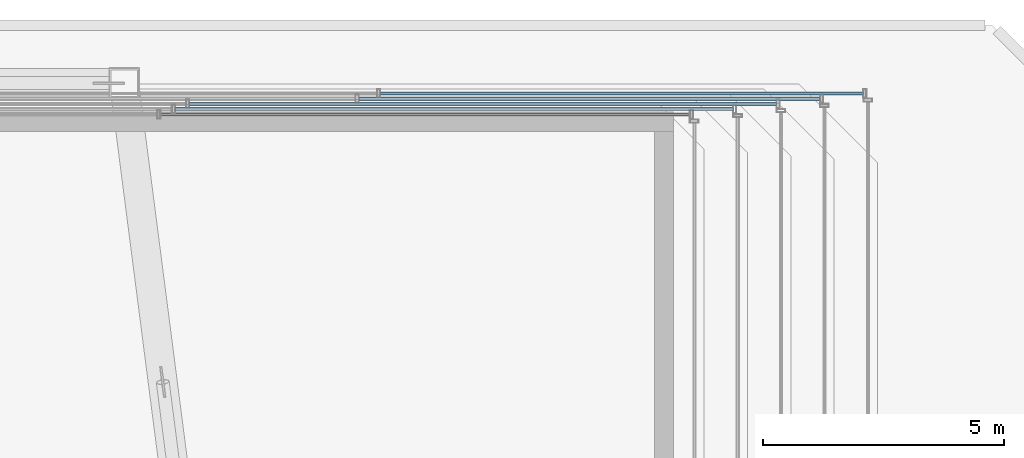
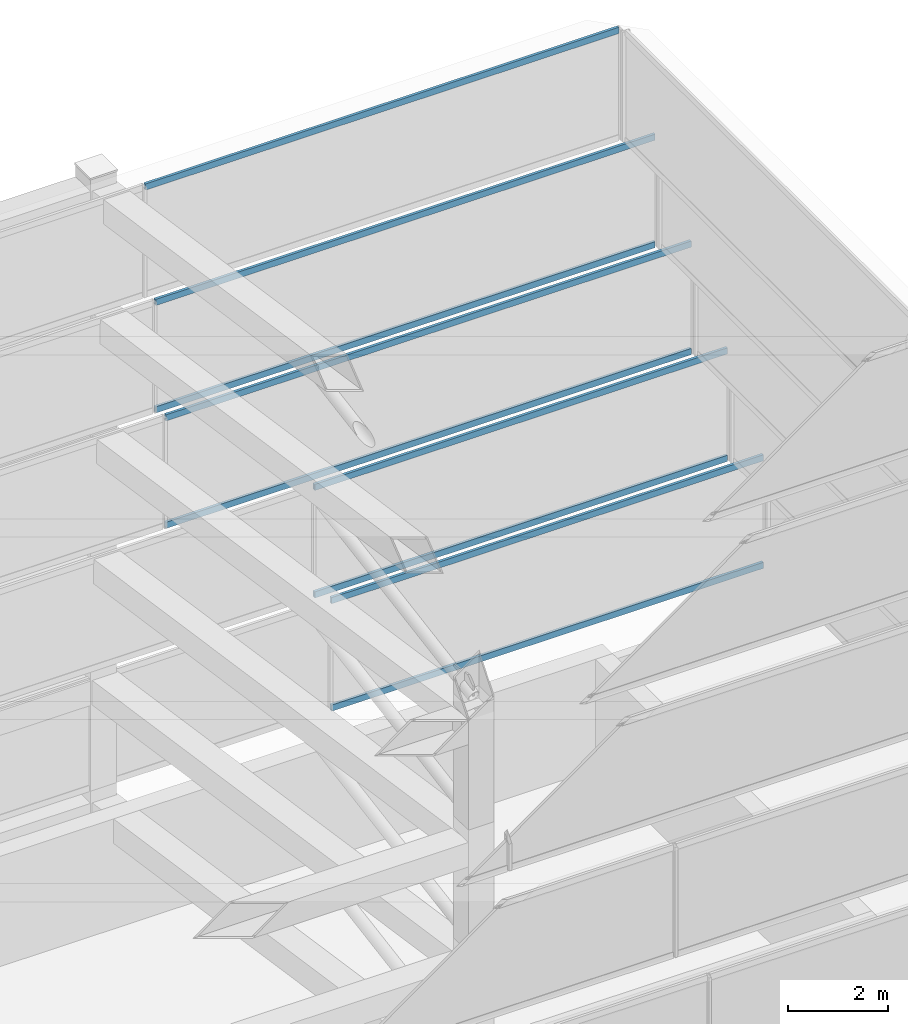
# One storey, part 25 of 29: 9 members, 5 elements without a shape of their own.
"""IFC4 building model written with IfcOpenShell, lengths in metres."""

import ifcopenshell
import ifcopenshell.guid

model = None  # the IFC model being written
_history = None  # IfcOwnerHistory: only IFC2X3 demands one
_inside = {}  # id of a spatial element -> (the spatial element, [elements in it])
_under = {}  # id of a project, library or spatial element -> (it, [spatial elements below it])
_declared = {}  # id of a project -> (the project, [libraries it declares])
_typed = {}  # id of a type object -> (the type object, [elements of that type])
_made_of = {}  # id of a material, layer set ... -> (it, [elements and type objects made of it])


def new_model(schema):
    """Start an empty IFC model of exactly this schema.

    Asked for "IFC4X3", IfcOpenShell would pick the latest addendum, in which some entities
    have other attributes; the version numbers below select the first issue.
    IFC2X3 requires an IfcOwnerHistory on every rooted entity: one is made here for all.
    """
    global model, _history
    if schema == "IFC4X3":
        model = ifcopenshell.file(schema_version=(4, 3, 0, 0))
    else:
        model = ifcopenshell.file(schema=schema)
    _inside.clear()
    _under.clear()
    _declared.clear()
    _typed.clear()
    _made_of.clear()
    _history = None
    if model.schema == "IFC2X3":
        org = make("IfcOrganization", Name="unknown")
        user = make(
            "IfcPersonAndOrganization",
            ThePerson=make("IfcPerson", FamilyName="unknown"),
            TheOrganization=org,
        )
        app = make(
            "IfcApplication",
            ApplicationDeveloper=org,
            Version="unknown",
            ApplicationFullName="unknown",
            ApplicationIdentifier="unknown",
        )
        _history = make(
            "IfcOwnerHistory",
            OwningUser=user,
            OwningApplication=app,
            ChangeAction="ADDED",
            CreationDate=0,
        )
    return model


def make(cls, **values):
    """One entity of the class cls with the attributes given. An attribute that is None is left unset."""
    return model.create_entity(
        cls, **{name: value for name, value in values.items() if value is not None}
    )


def rooted(cls, **values):
    """An entity with a GlobalId (a new one), such as an element, a storey or a relation."""
    return make(cls, GlobalId=ifcopenshell.guid.new(), OwnerHistory=_history, **values)


def si_unit(unit_type, name, prefix=None):
    """IfcSIUnit, for example si_unit("LENGTHUNIT", "METRE", prefix="MILLI")."""
    return make("IfcSIUnit", UnitType=unit_type, Prefix=prefix, Name=name)


def assignment(units):
    """IfcUnitAssignment: the units of a project."""
    return None if units is None else make("IfcUnitAssignment", Units=units)


def point(xyz):
    """IfcCartesianPoint."""
    return None if xyz is None else make("IfcCartesianPoint", Coordinates=xyz)


def direction(xyz):
    """IfcDirection."""
    return None if xyz is None else make("IfcDirection", DirectionRatios=xyz)


def frame(location, z_axis=None, x_axis=None):
    """IfcAxis2Placement3D, a coordinate frame: its origin and axes. An axis left out is left unset."""
    return make(
        "IfcAxis2Placement3D",
        Location=point(location),
        Axis=direction(z_axis),
        RefDirection=direction(x_axis),
    )


def frame_2d(location, x_axis=None):
    """IfcAxis2Placement2D, a coordinate frame in the plane: its origin and x axis."""
    return make(
        "IfcAxis2Placement2D", Location=point(location), RefDirection=direction(x_axis)
    )


def origin():
    """The frame at (0, 0, 0) with its axes left unset."""
    return frame((0.0, 0.0, 0.0))


def origin_2d():
    """The frame at (0, 0) in the plane with its x axis left unset."""
    return frame_2d((0.0, 0.0))


def place(relative_to, where):
    """IfcLocalPlacement: puts the frame where relative to a parent placement (None: the world)."""
    return make(
        "IfcLocalPlacement", PlacementRelTo=relative_to, RelativePlacement=where
    )


def context(
    kind, dimensions, precision=None, world=None, true_north=None, identifier=None
):
    """IfcGeometricRepresentationContext, for example the 3D "Model" context."""
    return make(
        "IfcGeometricRepresentationContext",
        ContextIdentifier=identifier,
        ContextType=kind,
        CoordinateSpaceDimension=dimensions,
        Precision=precision,
        WorldCoordinateSystem=world,
        TrueNorth=true_north,
    )


def subcontext(parent, identifier, kind, view, scale=None):
    """IfcGeometricRepresentationSubContext, for example "Body" below "Model"."""
    return make(
        "IfcGeometricRepresentationSubContext",
        ContextIdentifier=identifier,
        ContextType=kind,
        ParentContext=parent,
        TargetScale=scale,
        TargetView=view,
    )


def project(units=None, contexts=None):
    """IfcProject with its units and contexts."""
    return rooted(
        "IfcProject",
        Name="project",
        RepresentationContexts=contexts,
        UnitsInContext=assignment(units),
    )


def spatial(cls, under=None, at=None, **own):
    """A site, building, storey or space (cls), placed at a placement, below another one or the project."""
    s = rooted(cls, ObjectPlacement=at, **own)
    if under is not None:
        _under.setdefault(under.id(), (under, []))[1].append(s)
    return s


def profile(cls, at=None, kind="AREA", **sizes):
    """A parametric profile (cls). Its sizes go by their IFC names, for example OverallWidth=200.0."""
    return make(cls, ProfileType=kind, Position=at, **sizes)


def hollow_rectangle(**sizes):
    """IfcRectangleHollowProfileDef."""
    return profile("IfcRectangleHollowProfileDef", **sizes)


def extrude(swept, where, along, depth):
    """IfcExtrudedAreaSolid: the profile swept, set in the frame where, extruded along a direction by depth."""
    return make(
        "IfcExtrudedAreaSolid",
        SweptArea=swept,
        Position=where,
        ExtrudedDirection=direction(along),
        Depth=depth,
    )


def shape(context_of_items, identifier, shape_type, items):
    """IfcShapeRepresentation: the items that make up one representation, for example the "Body"."""
    return make(
        "IfcShapeRepresentation",
        ContextOfItems=context_of_items,
        RepresentationIdentifier=identifier,
        RepresentationType=shape_type,
        Items=items,
    )


def material(Name=None, Category=None):
    """IfcMaterial."""
    return make("IfcMaterial", Name=Name, Category=Category)


def material_profile(
    of_material, cross_section, Name=None, Category=None, Priority=None
):
    """IfcMaterialProfile: a cross section and its material."""
    return make(
        "IfcMaterialProfile",
        Name=Name,
        Material=of_material,
        Profile=cross_section,
        Priority=Priority,
        Category=Category,
    )


def profile_set(profiles, Name=None, composite=None):
    """IfcMaterialProfileSet."""
    return make(
        "IfcMaterialProfileSet",
        Name=Name,
        MaterialProfiles=profiles,
        CompositeProfile=composite,
    )


def made_of(thing, what):
    """Note that an element or type object is made of a material, layer set ...; save() writes the relation."""
    if what is not None:
        _made_of.setdefault(what.id(), (what, []))[1].append(thing)
    return thing


def type_object(cls, material=None, **own):
    """A type object (cls), such as IfcWallType, which elements share."""
    return made_of(rooted(cls, **own), material)


def element(
    cls,
    number,
    at=None,
    inside=None,
    cuts=None,
    type_object=None,
    material=None,
    context=None,
    identifier="Body",
    shape_type=None,
    held_by="IfcProductDefinitionShape",
    body=None,
    shapes=None,
    **own,
):
    """One element of the class cls, such as IfcWall. Its Tag is "e" and its number.

    at: its placement. inside: the storey or other place that contains it. cuts: it is an
    opening in that element (IfcRelVoidsElement). A single representation is given by context,
    identifier, shape_type and body (its items); several are given by shapes. held_by: the class
    of the entity that holds the representations. save() writes the other relations.
    """
    e = rooted(cls, Tag="e%d" % number, ObjectPlacement=at, **own)
    if body is not None:
        shapes = [shape(context, identifier, shape_type, body)]
    if shapes is not None:
        e.Representation = make(held_by, Representations=shapes)
    if inside is not None:
        _inside.setdefault(inside.id(), (inside, []))[1].append(e)
    if cuts is not None:
        rooted(
            "IfcRelVoidsElement", RelatingBuildingElement=cuts, RelatedOpeningElement=e
        )
    if type_object is not None:
        _typed.setdefault(type_object.id(), (type_object, []))[1].append(e)
    return made_of(e, material)


def aggregate(whole, parts):
    """IfcRelAggregates: a whole, such as a stair, and the parts it consists of."""
    return rooted("IfcRelAggregates", RelatingObject=whole, RelatedObjects=parts)


def save(model, path):
    """Write the relations noted so far, then the file.

    IfcRelAggregates (storeys below a building ...), IfcRelContainedInSpatialStructure (elements
    in a storey), IfcRelDefinesByType, IfcRelAssociatesMaterial and IfcRelDeclares: one each for
    every whole, place, type object, material and project.
    """
    for whole, parts in _under.values():
        aggregate(whole, parts)
    for where, things in _inside.values():
        rooted(
            "IfcRelContainedInSpatialStructure",
            RelatedElements=things,
            RelatingStructure=where,
        )
    for kind, things in _typed.values():
        rooted("IfcRelDefinesByType", RelatedObjects=things, RelatingType=kind)
    for what, things in _made_of.values():
        rooted("IfcRelAssociatesMaterial", RelatedObjects=things, RelatingMaterial=what)
    for by, libraries in _declared.values():
        rooted("IfcRelDeclares", RelatingContext=by, RelatedDefinitions=libraries)
    model.write(path)


model = new_model("IFC4")

# Units and contexts
model_context = context("Model", 3, precision=1e-05, world=origin(), true_north=direction((0.0, 1.0)))
body_context = subcontext(model_context, "Body", "Model", "MODEL_VIEW")
ifc_project = project(units=[si_unit("LENGTHUNIT", "METRE"), si_unit("AREAUNIT", "SQUARE_METRE"), si_unit("VOLUMEUNIT", "CUBIC_METRE"), si_unit("PLANEANGLEUNIT", "RADIAN"), si_unit("MASSUNIT", "GRAM", prefix="KILO")], contexts=[model_context])

# Site, building, storey
site_placement = place(None, origin())
site = spatial("IfcSite", under=ifc_project, at=site_placement, CompositionType="ELEMENT")
building_placement = place(site_placement, origin())
building = spatial("IfcBuilding", under=site, at=building_placement, Name="Saevonmaru Cultural Tower", CompositionType="ELEMENT")
storey_placement = place(building_placement, frame((0.0, 0.0, 327.60009765625)))
storey = spatial("IfcBuildingStorey", under=building, at=storey_placement, Name="RF", CompositionType="ELEMENT", Elevation=327.60009765625)

# Curtain wall, members
ifc_material = material(Name="Satin Bronze Anodised Aluminium", Category="aluminium")
curtain_wall_type = type_object("IfcCurtainWallType", Name="CW-TYP-B", PredefinedType="NOTDEFINED", material=ifc_material)
curtain_wall_1_placement = place(storey_placement, origin())
curtain_wall_1 = element("IfcCurtainWall", 1, at=curtain_wall_1_placement, inside=storey, type_object=curtain_wall_type, Name="RF Ziggurat Crown Tier 2 Bronze Louvre Screen 3", PredefinedType="NOTDEFINED")
ifc_material_profile = material_profile(ifc_material, hollow_rectangle(XDim=0.06494140625, YDim=0.14990234375, WallThickness=0.00390625, at=origin_2d()), Name="ALU-TRAN-150x65x4")
ifc_profile_set = profile_set([ifc_material_profile], Name="Satin Bronze Anodised Aluminium")
member_type = type_object("IfcMemberType", Name="TR-CW-150x65", PredefinedType="USERDEFINED", material=ifc_profile_set)
member_1_placement = place(storey_placement, frame((50.134521484375, 54.583984375, 3.032470703125), z_axis=(-1.0, 0.0, 0.0), x_axis=(0.0, -1.0, 0.0)))
member_1 = element("IfcMember", 2, at=member_1_placement, type_object=member_type, Name="CW-CROWN-T2-3 transom 1.1", ObjectType="TRANSOM", PredefinedType="USERDEFINED", context=body_context, shape_type="SweptSolid", body=[
    extrude(hollow_rectangle(XDim=0.06494140625, YDim=0.14990234375, WallThickness=0.00390625, at=origin_2d()), origin(), (0.0, 0.0, 1.0), 10.0185546875),
])
member_2_placement = place(storey_placement, frame((50.134521484375, 54.583984375, 5.66748046875), z_axis=(-1.0, 0.0, 0.0), x_axis=(0.0, -1.0, 0.0)))
member_2 = element("IfcMember", 3, at=member_2_placement, type_object=member_type, Name="CW-CROWN-T2-3 transom 1.2", ObjectType="TRANSOM", PredefinedType="USERDEFINED", context=body_context, shape_type="SweptSolid", body=[
    extrude(hollow_rectangle(XDim=0.06494140625, YDim=0.14990234375, WallThickness=0.00390625, at=origin_2d()), origin(), (0.0, 0.0, 1.0), 10.0185546875),
])
aggregate(curtain_wall_1, [member_1, member_2])

curtain_wall_2_placement = place(storey_placement, origin())
curtain_wall_2 = element("IfcCurtainWall", 4, at=curtain_wall_2_placement, inside=storey, type_object=curtain_wall_type, Name="RF Ziggurat Crown Tier 3 Bronze Louvre Screen 3", PredefinedType="NOTDEFINED")
member_3_placement = place(storey_placement, frame((49.234619140625, 54.47607421875, 6.032470703125), z_axis=(-1.0, 0.0, 0.0), x_axis=(0.0, -1.0, 0.0)))
member_3 = element("IfcMember", 5, at=member_3_placement, type_object=member_type, Name="CW-CROWN-T3-3 transom 1.1", ObjectType="TRANSOM", PredefinedType="USERDEFINED", context=body_context, shape_type="SweptSolid", body=[
    extrude(hollow_rectangle(XDim=0.06494140625, YDim=0.14990234375, WallThickness=0.00390625, at=origin_2d()), origin(), (0.0, 0.0, 1.0), 9.568603515625),
])
member_4_placement = place(storey_placement, frame((49.234619140625, 54.47607421875, 8.66748046875), z_axis=(-1.0, 0.0, 0.0), x_axis=(0.0, -1.0, 0.0)))
member_4 = element("IfcMember", 6, at=member_4_placement, type_object=member_type, Name="CW-CROWN-T3-3 transom 1.2", ObjectType="TRANSOM", PredefinedType="USERDEFINED", context=body_context, shape_type="SweptSolid", body=[
    extrude(hollow_rectangle(XDim=0.06494140625, YDim=0.14990234375, WallThickness=0.00390625, at=origin_2d()), origin(), (0.0, 0.0, 1.0), 9.568603515625),
])
aggregate(curtain_wall_2, [member_3, member_4])

curtain_wall_3_placement = place(storey_placement, origin())
curtain_wall_3 = element("IfcCurtainWall", 7, at=curtain_wall_3_placement, inside=storey, type_object=curtain_wall_type, Name="RF Ziggurat Crown Tier 4 Bronze Louvre Screen 3", PredefinedType="NOTDEFINED")
member_5_placement = place(storey_placement, frame((48.33447265625, 54.367919921875, 9.032470703125), z_axis=(-1.0, 0.0, 0.0), x_axis=(0.0, -1.0, 0.0)))
member_5 = element("IfcMember", 8, at=member_5_placement, type_object=member_type, Name="CW-CROWN-T4-3 transom 1.1", ObjectType="TRANSOM", PredefinedType="USERDEFINED", context=body_context, shape_type="SweptSolid", body=[
    extrude(hollow_rectangle(XDim=0.06494140625, YDim=0.14990234375, WallThickness=0.00390625, at=origin_2d()), origin(), (0.0, 0.0, 1.0), 12.1796875),
])
member_6_placement = place(storey_placement, frame((48.33447265625, 54.367919921875, 11.66748046875), z_axis=(-1.0, 0.0, 0.0), x_axis=(0.0, -1.0, 0.0)))
member_6 = element("IfcMember", 9, at=member_6_placement, type_object=member_type, Name="CW-CROWN-T4-3 transom 1.2", ObjectType="TRANSOM", PredefinedType="USERDEFINED", context=body_context, shape_type="SweptSolid", body=[
    extrude(hollow_rectangle(XDim=0.06494140625, YDim=0.14990234375, WallThickness=0.00390625, at=origin_2d()), origin(), (0.0, 0.0, 1.0), 12.1796875),
])
aggregate(curtain_wall_3, [member_5, member_6])

curtain_wall_4_placement = place(storey_placement, origin())
curtain_wall_4 = element("IfcCurtainWall", 10, at=curtain_wall_4_placement, inside=storey, type_object=curtain_wall_type, Name="RF Ziggurat Crown Tier 5 Bronze Louvre Screen 3", PredefinedType="NOTDEFINED")
member_7_placement = place(storey_placement, frame((47.4345703125, 54.260009765625, 12.032470703125), z_axis=(-1.0, 0.0, 0.0), x_axis=(0.0, -1.0, 0.0)))
member_7 = element("IfcMember", 11, at=member_7_placement, type_object=member_type, Name="CW-CROWN-T5-3 transom 1.1", ObjectType="TRANSOM", PredefinedType="USERDEFINED", context=body_context, shape_type="SweptSolid", body=[
    extrude(hollow_rectangle(XDim=0.06494140625, YDim=0.14990234375, WallThickness=0.00390625, at=origin_2d()), origin(), (0.0, 0.0, 1.0), 11.579833984375),
])
member_8_placement = place(storey_placement, frame((47.4345703125, 54.260009765625, 14.66748046875), z_axis=(-1.0, 0.0, 0.0), x_axis=(0.0, -1.0, 0.0)))
member_8 = element("IfcMember", 12, at=member_8_placement, type_object=member_type, Name="CW-CROWN-T5-3 transom 1.2", ObjectType="TRANSOM", PredefinedType="USERDEFINED", context=body_context, shape_type="SweptSolid", body=[
    extrude(hollow_rectangle(XDim=0.06494140625, YDim=0.14990234375, WallThickness=0.00390625, at=origin_2d()), origin(), (0.0, 0.0, 1.0), 11.579833984375),
])
aggregate(curtain_wall_4, [member_7, member_8])

# Curtain wall, member
curtain_wall_5_placement = place(storey_placement, origin())
curtain_wall_5 = element("IfcCurtainWall", 13, at=curtain_wall_5_placement, inside=storey, type_object=curtain_wall_type, Name="RF Ziggurat Crown Tier 6 Bronze Louvre Screen 3", PredefinedType="NOTDEFINED")
member_9_placement = place(storey_placement, frame((46.534423828125, 54.152099609375, 17.66748046875), z_axis=(-1.0, 0.0, 0.0), x_axis=(0.0, -1.0, 0.0)))
member_9 = element("IfcMember", 14, at=member_9_placement, type_object=member_type, Name="CW-CROWN-T6-3 transom 1.2", ObjectType="TRANSOM", PredefinedType="USERDEFINED", context=body_context, shape_type="SweptSolid", body=[
    extrude(hollow_rectangle(XDim=0.06494140625, YDim=0.14990234375, WallThickness=0.00390625, at=origin_2d()), origin(), (0.0, 0.0, 1.0), 10.9794921875),
])
aggregate(curtain_wall_5, [member_9])

save(model, "model.ifc")
